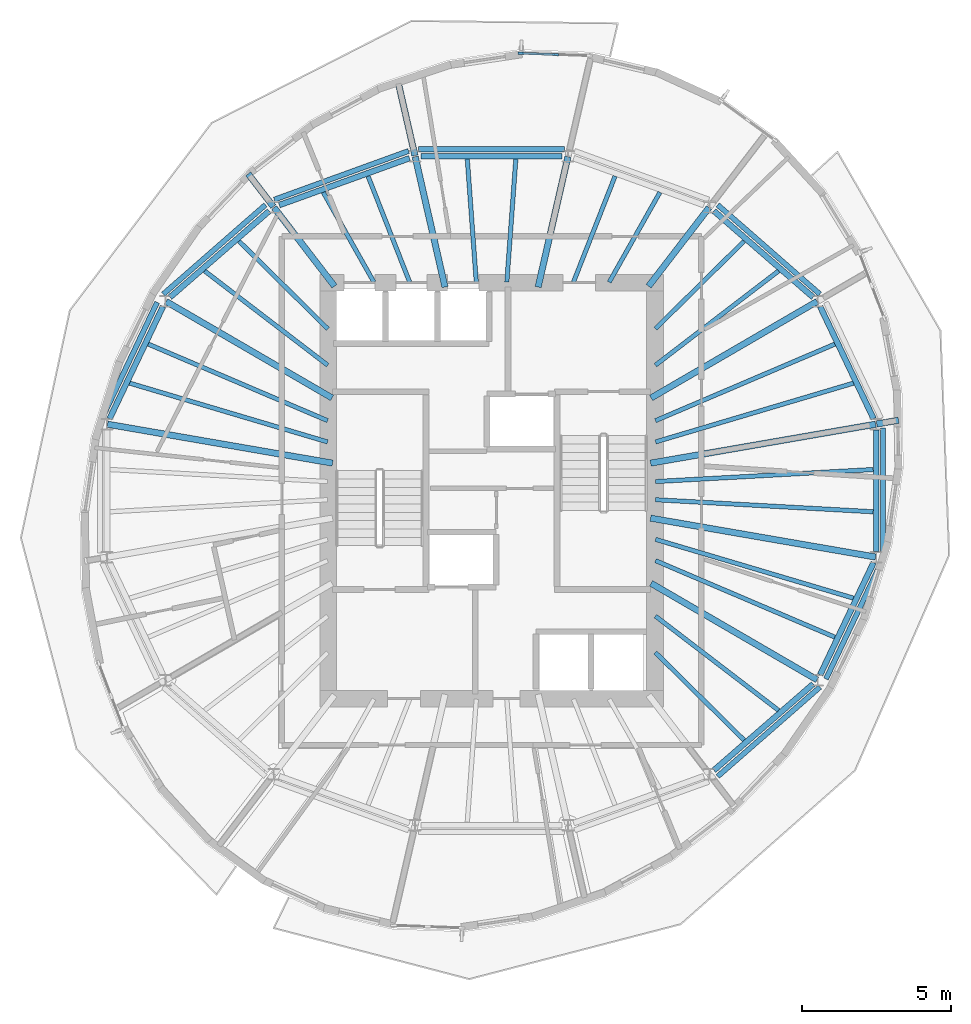
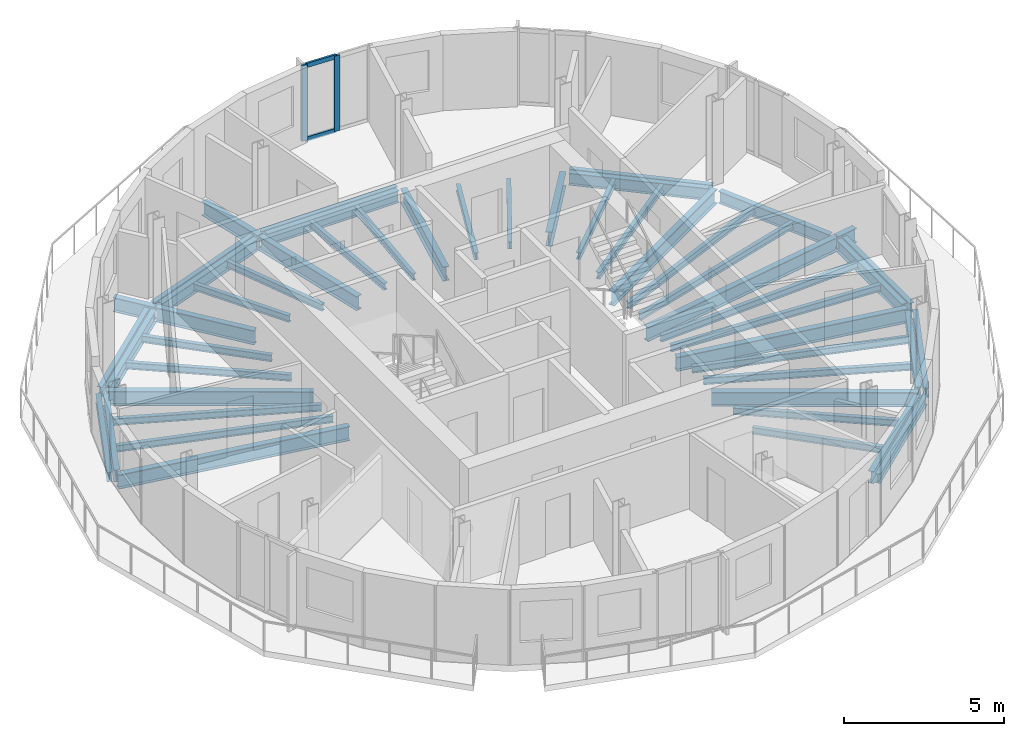
# One storey, part 2 of 11: 50 beams, 4 members, 1 element without a shape of its own.
"""IFC4 building model written with IfcOpenShell, lengths in metres."""

from ifc_helpers import new_model, si_unit, direction, frame, origin, origin_2d, place, context, subcontext, project, spatial, rectangle, i_section, extrude, material, material_profile, profile_set, type_object, element, aggregate, save


model = new_model("IFC4")

# Units and contexts
model_context = context("Model", 3, precision=1e-05, world=origin(), true_north=direction((0.0, 1.0)))
body_context = subcontext(model_context, "Body", "Model", "MODEL_VIEW")
ifc_project = project(units=[si_unit("LENGTHUNIT", "METRE"), si_unit("AREAUNIT", "SQUARE_METRE"), si_unit("VOLUMEUNIT", "CUBIC_METRE"), si_unit("PLANEANGLEUNIT", "RADIAN"), si_unit("MASSUNIT", "GRAM", prefix="KILO")], contexts=[model_context])

# Site, building, storey
site_placement = place(None, origin())
site = spatial("IfcSite", under=ifc_project, at=site_placement, CompositionType="ELEMENT")
building_placement = place(site_placement, origin())
building = spatial("IfcBuilding", under=site, at=building_placement, Name="Veldorim Arch Residences", CompositionType="ELEMENT")
storey_placement = place(building_placement, frame((0.0, 0.0, 239.840087890625)))
storey = spatial("IfcBuildingStorey", under=building, at=storey_placement, Name="L72", CompositionType="ELEMENT", Elevation=239.840087890625)

# Beams
ifc_material_1 = material(Name="Steel S355", Category="steel")
ifc_material_profile_1 = material_profile(ifc_material_1, i_section(OverallWidth=0.2119140625, OverallDepth=0.54443359375, WebThickness=0.0126953125, FlangeThickness=0.021240234375, at=origin_2d()), Name="UB533x210x122")
ifc_profile_set_1 = profile_set([ifc_material_profile_1], Name="Steel S355")
beam_type_1 = type_object("IfcBeamType", Name="Structural Steel Beam UB533x210x122", PredefinedType="BEAM", material=ifc_profile_set_1)
beam_1_placement = place(storey_placement, frame((37.352294921875, 24.92578125, -0.512451171875), z_axis=(0.985364974081, 0.170457818401, 0.0), x_axis=(-0.170457818401, 0.985364974081, 0.0)))
element("IfcBeam", 1, at=beam_1_placement, inside=storey, type_object=beam_type_1, Name="L72 radial floor girder 01", PredefinedType="BEAM", context=body_context, shape_type="SweptSolid", body=[
    extrude(i_section(OverallWidth=0.2119140625, OverallDepth=0.54443359375, WebThickness=0.0126953125, FlangeThickness=0.021240234375, at=origin_2d()), origin(), (0.0, 0.0, 1.0), 7.68701171875),
])
beam_2_placement = place(storey_placement, frame((44.966064453125, 26.242919921875, -0.512451171875), z_axis=(0.985346265547, 0.170565931453, 0.0), x_axis=(-0.170565931453, 0.985346265547, 0.0)))
element("IfcBeam", 2, at=beam_2_placement, inside=storey, type_object=beam_type_1, Name="L72 radial edge cantilever girder 01", PredefinedType="BEAM", context=body_context, shape_type="SweptSolid", body=[
    extrude(i_section(OverallWidth=0.2119140625, OverallDepth=0.54443359375, WebThickness=0.0126953125, FlangeThickness=0.021240234375, at=origin_2d()), origin(), (0.0, 0.0, 1.0), 0.744384765625),
])
beam_3_placement = place(storey_placement, frame((37.370361328125, 27.12060546875, -0.512451171875), z_axis=(0.864595736304, 0.502468121142, 0.0), x_axis=(-0.502468121142, 0.864595736304, 0.0)))
element("IfcBeam", 3, at=beam_3_placement, inside=storey, type_object=beam_type_1, Name="L72 radial floor girder 02", PredefinedType="BEAM", context=body_context, shape_type="SweptSolid", body=[
    extrude(i_section(OverallWidth=0.2119140625, OverallDepth=0.54443359375, WebThickness=0.0126953125, FlangeThickness=0.021240234375, at=origin_2d()), origin(), (0.0, 0.0, 1.0), 6.462646484375),
])
beam_4_placement = place(storey_placement, frame((37.28662109375, 30.881103515625, -0.512451171875), z_axis=(0.609258442308, 0.792971721108, 0.0), x_axis=(-0.792971721108, 0.609258442308, 0.0)))
element("IfcBeam", 4, at=beam_4_placement, inside=storey, type_object=beam_type_1, Name="L72 radial floor girder 03", PredefinedType="BEAM", context=body_context, shape_type="SweptSolid", body=[
    extrude(i_section(OverallWidth=0.2119140625, OverallDepth=0.54443359375, WebThickness=0.0126953125, FlangeThickness=0.021240234375, at=origin_2d()), origin(), (0.0, 0.0, 1.0), 3.339599609375),
])
for number, where, z_axis, x_axis, name in (
    (5, (33.567626953125, 30.853759765625, -0.512451171875), (0.222952976993, 0.97482920045, 0.0), (-0.97482920045, 0.222952976993, 0.0), "L72 radial floor girder 04"),
    (6, (30.432373046875, 30.853759765625, -0.512451171875), (-0.222952976993, 0.97482920045, 0.0), (-0.97482920045, -0.222952976993, 0.0), "L72 radial floor girder 05"),
):
    element("IfcBeam", number, at=place(storey_placement, frame(where, z_axis=z_axis, x_axis=x_axis)), inside=storey, type_object=beam_type_1, Name=name, PredefinedType="BEAM", context=body_context, shape_type="SweptSolid", body=[
        extrude(i_section(OverallWidth=0.2119140625, OverallDepth=0.54443359375, WebThickness=0.0126953125, FlangeThickness=0.021240234375, at=origin_2d()), origin(), (0.0, 0.0, 1.0), 4.49951171875),
    ])
beam_5_placement = place(storey_placement, frame((29.42041015625, 35.27880859375, -0.512451171875), z_axis=(-0.222987741218, 0.974821248879, 0.0), x_axis=(-0.974821248879, -0.222987741218, 0.0)))
element("IfcBeam", 7, at=beam_5_placement, inside=storey, type_object=beam_type_1, Name="L72 radial edge cantilever girder 05", PredefinedType="BEAM", context=body_context, shape_type="SweptSolid", body=[
    extrude(i_section(OverallWidth=0.2119140625, OverallDepth=0.54443359375, WebThickness=0.0126953125, FlangeThickness=0.021240234375, at=origin_2d()), origin(), (0.0, 0.0, 1.0), 2.56298828125),
])
beam_6_placement = place(storey_placement, frame((26.71337890625, 30.881103515625, -0.512451171875), z_axis=(-0.609258442308, 0.792971721108, 0.0), x_axis=(-0.792971721108, -0.609258442308, 0.0)))
element("IfcBeam", 8, at=beam_6_placement, inside=storey, type_object=beam_type_1, Name="L72 radial floor girder 06", PredefinedType="BEAM", context=body_context, shape_type="SweptSolid", body=[
    extrude(i_section(OverallWidth=0.2119140625, OverallDepth=0.54443359375, WebThickness=0.0126953125, FlangeThickness=0.021240234375, at=origin_2d()), origin(), (0.0, 0.0, 1.0), 3.339599609375),
])
beam_7_placement = place(storey_placement, frame((24.654296875, 33.561279296875, -0.512451171875), z_axis=(-0.609217680659, 0.793003037555, 0.0), x_axis=(-0.793003037555, -0.609217680659, 0.0)))
element("IfcBeam", 9, at=beam_7_placement, inside=storey, type_object=beam_type_1, Name="L72 radial edge cantilever girder 06", PredefinedType="BEAM", context=body_context, shape_type="SweptSolid", body=[
    extrude(i_section(OverallWidth=0.2119140625, OverallDepth=0.54443359375, WebThickness=0.0126953125, FlangeThickness=0.021240234375, at=origin_2d()), origin(), (0.0, 0.0, 1.0), 1.38818359375),
])
beam_8_placement = place(storey_placement, frame((26.629638671875, 27.12060546875, -0.512451171875), z_axis=(-0.864595736304, 0.502468121142, 0.0), x_axis=(-0.502468121142, -0.864595736304, 0.0)))
element("IfcBeam", 10, at=beam_8_placement, inside=storey, type_object=beam_type_1, Name="L72 radial floor girder 07", PredefinedType="BEAM", context=body_context, shape_type="SweptSolid", body=[
    extrude(i_section(OverallWidth=0.2119140625, OverallDepth=0.54443359375, WebThickness=0.0126953125, FlangeThickness=0.021240234375, at=origin_2d()), origin(), (0.0, 0.0, 1.0), 6.462646484375),
])
beam_9_placement = place(storey_placement, frame((26.647705078125, 24.92578125, -0.512451171875), z_axis=(-0.985364974081, 0.170457818401, 0.0), x_axis=(-0.170457818401, -0.985364974081, 0.0)))
element("IfcBeam", 11, at=beam_9_placement, inside=storey, type_object=beam_type_1, Name="L72 radial floor girder 08", PredefinedType="BEAM", context=body_context, shape_type="SweptSolid", body=[
    extrude(i_section(OverallWidth=0.2119140625, OverallDepth=0.54443359375, WebThickness=0.0126953125, FlangeThickness=0.021240234375, at=origin_2d()), origin(), (0.0, 0.0, 1.0), 7.68701171875),
])
beam_10_placement = place(storey_placement, frame((37.370361328125, 20.87939453125, -0.512451171875), z_axis=(0.864595736304, -0.502468121142, 0.0), x_axis=(0.502468121142, 0.864595736304, 0.0)))
element("IfcBeam", 12, at=beam_10_placement, inside=storey, type_object=beam_type_1, Name="L72 radial floor girder 15", PredefinedType="BEAM", context=body_context, shape_type="SweptSolid", body=[
    extrude(i_section(OverallWidth=0.2119140625, OverallDepth=0.54443359375, WebThickness=0.0126953125, FlangeThickness=0.021240234375, at=origin_2d()), origin(), (0.0, 0.0, 1.0), 6.462646484375),
])
beam_11_placement = place(storey_placement, frame((37.352294921875, 23.07421875, -0.512451171875), z_axis=(0.985364974081, -0.170457818401, 0.0), x_axis=(0.170457818401, 0.985364974081, 0.0)))
element("IfcBeam", 13, at=beam_11_placement, inside=storey, type_object=beam_type_1, Name="L72 radial floor girder 16", PredefinedType="BEAM", context=body_context, shape_type="SweptSolid", body=[
    extrude(i_section(OverallWidth=0.2119140625, OverallDepth=0.54443359375, WebThickness=0.0126953125, FlangeThickness=0.021240234375, at=origin_2d()), origin(), (0.0, 0.0, 1.0), 7.68701171875),
])
ifc_material_2 = material(Name="Steel S355", Category="steel")
ifc_material_profile_2 = material_profile(ifc_material_2, i_section(OverallWidth=0.146484375, OverallDepth=0.256103515625, WebThickness=0.00634765625, FlangeThickness=0.010986328125, at=origin_2d()), Name="UB254x146x37")
ifc_profile_set_2 = profile_set([ifc_material_profile_2], Name="Steel S355")
beam_type_2 = type_object("IfcBeamType", Name="Structural Steel Joist UB254x146x37", PredefinedType="JOIST", material=ifc_profile_set_2)
beam_12_placement = place(storey_placement, frame((37.519287109375, 25.639404296875, -0.3681640625), z_axis=(0.958594432792, 0.284774846889, 0.0), x_axis=(-0.284774846889, 0.958594432792, 0.0)))
element("IfcBeam", 14, at=beam_12_placement, inside=storey, type_object=beam_type_2, Name="L72 secondary radial floor joist 01-1", PredefinedType="JOIST", context=body_context, shape_type="SweptSolid", body=[
    extrude(i_section(OverallWidth=0.146484375, OverallDepth=0.256103515625, WebThickness=0.00634765625, FlangeThickness=0.010986328125, at=origin_2d()), origin(), (0.0, 0.0, 1.0), 6.949462890625),
])
beam_13_placement = place(storey_placement, frame((37.518310546875, 26.355712890625, -0.3681640625), z_axis=(0.919725161652, 0.392562895629, 0.0), x_axis=(-0.392562895629, 0.919725161652, 0.0)))
element("IfcBeam", 15, at=beam_13_placement, inside=storey, type_object=beam_type_2, Name="L72 secondary radial floor joist 01-2", PredefinedType="JOIST", context=body_context, shape_type="SweptSolid", body=[
    extrude(i_section(OverallWidth=0.146484375, OverallDepth=0.256103515625, WebThickness=0.00634765625, FlangeThickness=0.010986328125, at=origin_2d()), origin(), (0.0, 0.0, 1.0), 6.5625),
])
beam_14_placement = place(storey_placement, frame((37.515869140625, 28.222900390625, -0.3681640625), z_axis=(0.794013672216, 0.607899899929, 0.0), x_axis=(-0.607899899929, 0.794013672216, 0.0)))
element("IfcBeam", 16, at=beam_14_placement, inside=storey, type_object=beam_type_2, Name="L72 secondary radial floor joist 02-1", PredefinedType="JOIST", context=body_context, shape_type="SweptSolid", body=[
    extrude(i_section(OverallWidth=0.146484375, OverallDepth=0.256103515625, WebThickness=0.00634765625, FlangeThickness=0.010986328125, at=origin_2d()), origin(), (0.0, 0.0, 1.0), 5.217041015625),
])
beam_15_placement = place(storey_placement, frame((37.51416015625, 29.44775390625, -0.3681640625), z_axis=(0.711396725432, 0.702790650937, 0.0), x_axis=(-0.702790650937, 0.711396725432, 0.0)))
element("IfcBeam", 17, at=beam_15_placement, inside=storey, type_object=beam_type_2, Name="L72 secondary radial floor joist 02-2", PredefinedType="JOIST", context=body_context, shape_type="SweptSolid", body=[
    extrude(i_section(OverallWidth=0.146484375, OverallDepth=0.256103515625, WebThickness=0.00634765625, FlangeThickness=0.010986328125, at=origin_2d()), origin(), (0.0, 0.0, 1.0), 4.198486328125),
])
beam_16_placement = place(storey_placement, frame((35.960205078125, 31.017333984375, -0.3681640625), z_axis=(0.491452469585, 0.870904397818, 0.0), x_axis=(-0.870904397818, 0.491452469585, 0.0)))
element("IfcBeam", 18, at=beam_16_placement, inside=storey, type_object=beam_type_2, Name="L72 secondary radial floor joist 03-1", PredefinedType="JOIST", context=body_context, shape_type="SweptSolid", body=[
    extrude(i_section(OverallWidth=0.146484375, OverallDepth=0.256103515625, WebThickness=0.00634765625, FlangeThickness=0.010986328125, at=origin_2d()), origin(), (0.0, 0.0, 1.0), 3.472412109375),
])
beam_17_placement = place(storey_placement, frame((34.75634765625, 31.0185546875, -0.3681640625), z_axis=(0.365581383042, 0.930779379001, 0.0), x_axis=(-0.930779379001, 0.365581383042, 0.0)))
element("IfcBeam", 19, at=beam_17_placement, inside=storey, type_object=beam_type_2, Name="L72 secondary radial floor joist 03-2", PredefinedType="JOIST", context=body_context, shape_type="SweptSolid", body=[
    extrude(i_section(OverallWidth=0.146484375, OverallDepth=0.256103515625, WebThickness=0.00634765625, FlangeThickness=0.010986328125, at=origin_2d()), origin(), (0.0, 0.0, 1.0), 3.83056640625),
])
for number, where, z_axis, x_axis, name in (
    (20, (32.513916015625, 31.02001953125, -0.3681640625), (0.072985625899, 0.997332992742, 0.0), (-0.997332992742, 0.072985625899, 0.0), "L72 secondary radial floor joist 04-1"),
    (21, (31.486083984375, 31.02001953125, -0.3681640625), (-0.072985625899, 0.997332992742, 0.0), (-0.997332992742, -0.072985625899, 0.0), "L72 secondary radial floor joist 04-2"),
):
    element("IfcBeam", number, at=place(storey_placement, frame(where, z_axis=z_axis, x_axis=x_axis)), inside=storey, type_object=beam_type_2, Name=name, PredefinedType="JOIST", context=body_context, shape_type="SweptSolid", body=[
        extrude(i_section(OverallWidth=0.146484375, OverallDepth=0.256103515625, WebThickness=0.00634765625, FlangeThickness=0.010986328125, at=origin_2d()), origin(), (0.0, 0.0, 1.0), 4.151123046875),
    ])
beam_18_placement = place(storey_placement, frame((29.24365234375, 31.0185546875, -0.3681640625), z_axis=(-0.365581383042, 0.930779379001, 0.0), x_axis=(-0.930779379001, -0.365581383042, 0.0)))
element("IfcBeam", 22, at=beam_18_placement, inside=storey, type_object=beam_type_2, Name="L72 secondary radial floor joist 05-1", PredefinedType="JOIST", context=body_context, shape_type="SweptSolid", body=[
    extrude(i_section(OverallWidth=0.146484375, OverallDepth=0.256103515625, WebThickness=0.00634765625, FlangeThickness=0.010986328125, at=origin_2d()), origin(), (0.0, 0.0, 1.0), 3.83056640625),
])
beam_19_placement = place(storey_placement, frame((28.039794921875, 31.017333984375, -0.3681640625), z_axis=(-0.491452469585, 0.870904397818, 0.0), x_axis=(-0.870904397818, -0.491452469585, 0.0)))
element("IfcBeam", 23, at=beam_19_placement, inside=storey, type_object=beam_type_2, Name="L72 secondary radial floor joist 05-2", PredefinedType="JOIST", context=body_context, shape_type="SweptSolid", body=[
    extrude(i_section(OverallWidth=0.146484375, OverallDepth=0.256103515625, WebThickness=0.00634765625, FlangeThickness=0.010986328125, at=origin_2d()), origin(), (0.0, 0.0, 1.0), 3.472412109375),
])
beam_20_placement = place(storey_placement, frame((26.48583984375, 29.44775390625, -0.3681640625), z_axis=(-0.711396725432, 0.702790650937, 0.0), x_axis=(-0.702790650937, -0.711396725432, 0.0)))
element("IfcBeam", 24, at=beam_20_placement, inside=storey, type_object=beam_type_2, Name="L72 secondary radial floor joist 06-1", PredefinedType="JOIST", context=body_context, shape_type="SweptSolid", body=[
    extrude(i_section(OverallWidth=0.146484375, OverallDepth=0.256103515625, WebThickness=0.00634765625, FlangeThickness=0.010986328125, at=origin_2d()), origin(), (0.0, 0.0, 1.0), 4.198486328125),
])
beam_21_placement = place(storey_placement, frame((26.484130859375, 28.222900390625, -0.3681640625), z_axis=(-0.794013672216, 0.607899899929, 0.0), x_axis=(-0.607899899929, -0.794013672216, 0.0)))
element("IfcBeam", 25, at=beam_21_placement, inside=storey, type_object=beam_type_2, Name="L72 secondary radial floor joist 06-2", PredefinedType="JOIST", context=body_context, shape_type="SweptSolid", body=[
    extrude(i_section(OverallWidth=0.146484375, OverallDepth=0.256103515625, WebThickness=0.00634765625, FlangeThickness=0.010986328125, at=origin_2d()), origin(), (0.0, 0.0, 1.0), 5.217041015625),
])
beam_22_placement = place(storey_placement, frame((26.481689453125, 26.355712890625, -0.3681640625), z_axis=(-0.919725161652, 0.392562895629, 0.0), x_axis=(-0.392562895629, -0.919725161652, 0.0)))
element("IfcBeam", 26, at=beam_22_placement, inside=storey, type_object=beam_type_2, Name="L72 secondary radial floor joist 07-1", PredefinedType="JOIST", context=body_context, shape_type="SweptSolid", body=[
    extrude(i_section(OverallWidth=0.146484375, OverallDepth=0.256103515625, WebThickness=0.00634765625, FlangeThickness=0.010986328125, at=origin_2d()), origin(), (0.0, 0.0, 1.0), 6.5625),
])
beam_23_placement = place(storey_placement, frame((26.480712890625, 25.639404296875, -0.3681640625), z_axis=(-0.958594432792, 0.284774846889, 0.0), x_axis=(-0.284774846889, -0.958594432792, 0.0)))
element("IfcBeam", 27, at=beam_23_placement, inside=storey, type_object=beam_type_2, Name="L72 secondary radial floor joist 07-2", PredefinedType="JOIST", context=body_context, shape_type="SweptSolid", body=[
    extrude(i_section(OverallWidth=0.146484375, OverallDepth=0.256103515625, WebThickness=0.00634765625, FlangeThickness=0.010986328125, at=origin_2d()), origin(), (0.0, 0.0, 1.0), 6.949462890625),
])
beam_24_placement = place(storey_placement, frame((37.51416015625, 18.55224609375, -0.3681640625), z_axis=(0.711396725432, -0.702790650937, 0.0), x_axis=(0.702790650937, 0.711396725432, 0.0)))
element("IfcBeam", 28, at=beam_24_placement, inside=storey, type_object=beam_type_2, Name="L72 secondary radial floor joist 14-1", PredefinedType="JOIST", context=body_context, shape_type="SweptSolid", body=[
    extrude(i_section(OverallWidth=0.146484375, OverallDepth=0.256103515625, WebThickness=0.00634765625, FlangeThickness=0.010986328125, at=origin_2d()), origin(), (0.0, 0.0, 1.0), 4.198486328125),
])
beam_25_placement = place(storey_placement, frame((37.515869140625, 19.777099609375, -0.3681640625), z_axis=(0.794013672216, -0.607899899929, 0.0), x_axis=(0.607899899929, 0.794013672216, 0.0)))
element("IfcBeam", 29, at=beam_25_placement, inside=storey, type_object=beam_type_2, Name="L72 secondary radial floor joist 14-2", PredefinedType="JOIST", context=body_context, shape_type="SweptSolid", body=[
    extrude(i_section(OverallWidth=0.146484375, OverallDepth=0.256103515625, WebThickness=0.00634765625, FlangeThickness=0.010986328125, at=origin_2d()), origin(), (0.0, 0.0, 1.0), 5.217041015625),
])
beam_26_placement = place(storey_placement, frame((37.518310546875, 21.644287109375, -0.3681640625), z_axis=(0.919725161652, -0.392562895629, 0.0), x_axis=(0.392562895629, 0.919725161652, 0.0)))
element("IfcBeam", 30, at=beam_26_placement, inside=storey, type_object=beam_type_2, Name="L72 secondary radial floor joist 15-1", PredefinedType="JOIST", context=body_context, shape_type="SweptSolid", body=[
    extrude(i_section(OverallWidth=0.146484375, OverallDepth=0.256103515625, WebThickness=0.00634765625, FlangeThickness=0.010986328125, at=origin_2d()), origin(), (0.0, 0.0, 1.0), 6.5625),
])
beam_27_placement = place(storey_placement, frame((37.519287109375, 22.360595703125, -0.3681640625), z_axis=(0.958594432792, -0.284774846889, 0.0), x_axis=(0.284774846889, 0.958594432792, 0.0)))
element("IfcBeam", 31, at=beam_27_placement, inside=storey, type_object=beam_type_2, Name="L72 secondary radial floor joist 15-2", PredefinedType="JOIST", context=body_context, shape_type="SweptSolid", body=[
    extrude(i_section(OverallWidth=0.146484375, OverallDepth=0.256103515625, WebThickness=0.00634765625, FlangeThickness=0.010986328125, at=origin_2d()), origin(), (0.0, 0.0, 1.0), 6.949462890625),
])
for number, where, z_axis, x_axis, name in (
    (32, (37.52001953125, 23.6943359375, -0.3681640625), (0.998472000884, -0.055259962464, 0.0), (0.055259962464, 0.998472000884, 0.0), "L72 secondary radial floor joist 16-1"),
    (33, (37.52001953125, 24.3056640625, -0.3681640625), (0.998472000884, 0.055259962464, 0.0), (-0.055259962464, 0.998472000884, 0.0), "L72 secondary radial floor joist 16-2"),
):
    element("IfcBeam", number, at=place(storey_placement, frame(where, z_axis=z_axis, x_axis=x_axis)), inside=storey, type_object=beam_type_2, Name=name, PredefinedType="JOIST", context=body_context, shape_type="SweptSolid", body=[
        extrude(i_section(OverallWidth=0.146484375, OverallDepth=0.256103515625, WebThickness=0.00634765625, FlangeThickness=0.010986328125, at=origin_2d()), origin(), (0.0, 0.0, 1.0), 7.33837890625),
    ])
ifc_material_3 = material(Name="Steel S355", Category="steel")
ifc_material_profile_3 = material_profile(ifc_material_3, i_section(OverallWidth=0.172119140625, OverallDepth=0.35791015625, WebThickness=0.008056640625, FlangeThickness=0.012939453125, at=origin_2d()), Name="UB356x171x57")
ifc_profile_set_3 = profile_set([ifc_material_profile_3], Name="Steel S355")
beam_type_3 = type_object("IfcBeamType", Name="Structural Steel Spandrel UB356x171x57", PredefinedType="SPANDREL", material=ifc_profile_set_3)
beam_28_placement = place(storey_placement, frame((43.05078125, 30.614013671875, -0.439208984375), z_axis=(-0.752901089301, 0.658133686821, 0.0), x_axis=(-0.658133686821, -0.752901089301, 0.0)))
element("IfcBeam", 34, at=beam_28_placement, inside=storey, type_object=beam_type_3, Name="L72 perimeter chord spandrel beam 02", PredefinedType="SPANDREL", context=body_context, shape_type="SweptSolid", body=[
    extrude(i_section(OverallWidth=0.172119140625, OverallDepth=0.35791015625, WebThickness=0.008056640625, FlangeThickness=0.012939453125, at=origin_2d()), origin(), (0.0, 0.0, 1.0), 4.567626953125),
])
beam_29_placement = place(storey_placement, frame((34.453125, 35.493408203125, -0.439208984375), z_axis=(-1.0, 0.0, 0.0), x_axis=(0.0, -1.0, 0.0)))
element("IfcBeam", 35, at=beam_29_placement, inside=storey, type_object=beam_type_3, Name="L72 perimeter chord spandrel beam 04", PredefinedType="SPANDREL", context=body_context, shape_type="SweptSolid", body=[
    extrude(i_section(OverallWidth=0.172119140625, OverallDepth=0.35791015625, WebThickness=0.008056640625, FlangeThickness=0.012939453125, at=origin_2d()), origin(), (0.0, 0.0, 1.0), 4.90625),
])
beam_30_placement = place(storey_placement, frame((29.206298828125, 35.43359375, -0.439208984375), z_axis=(-0.940181197783, -0.340674794099, 0.0), x_axis=(0.340674794099, -0.940181197783, 0.0)))
element("IfcBeam", 36, at=beam_30_placement, inside=storey, type_object=beam_type_3, Name="L72 perimeter chord spandrel beam 05", PredefinedType="SPANDREL", context=body_context, shape_type="SweptSolid", body=[
    extrude(i_section(OverallWidth=0.172119140625, OverallDepth=0.35791015625, WebThickness=0.008056640625, FlangeThickness=0.012939453125, at=origin_2d()), origin(), (0.0, 0.0, 1.0), 4.80859375),
])
beam_31_placement = place(storey_placement, frame((24.38818359375, 33.6201171875, -0.439208984375), z_axis=(-0.752901089301, -0.658133686821, 0.0), x_axis=(0.658133686821, -0.752901089301, 0.0)))
element("IfcBeam", 37, at=beam_31_placement, inside=storey, type_object=beam_type_3, Name="L72 perimeter chord spandrel beam 06", PredefinedType="SPANDREL", context=body_context, shape_type="SweptSolid", body=[
    extrude(i_section(OverallWidth=0.172119140625, OverallDepth=0.35791015625, WebThickness=0.008056640625, FlangeThickness=0.012939453125, at=origin_2d()), origin(), (0.0, 0.0, 1.0), 4.567626953125),
])
beam_32_placement = place(storey_placement, frame((20.741943359375, 30.33984375, -0.439208984375), z_axis=(-0.428453398876, -0.903563879862, 0.0), x_axis=(0.903563879862, -0.428453398876, 0.0)))
element("IfcBeam", 38, at=beam_32_placement, inside=storey, type_object=beam_type_3, Name="L72 perimeter chord spandrel beam 07", PredefinedType="SPANDREL", context=body_context, shape_type="SweptSolid", body=[
    extrude(i_section(OverallWidth=0.172119140625, OverallDepth=0.35791015625, WebThickness=0.008056640625, FlangeThickness=0.012939453125, at=origin_2d()), origin(), (0.0, 0.0, 1.0), 4.31689453125),
])
beam_33_placement = place(storey_placement, frame((39.61181640625, 14.3798828125, -0.439208984375), z_axis=(0.752901089301, 0.658133686821, 0.0), x_axis=(-0.658133686821, 0.752901089301, 0.0)))
element("IfcBeam", 39, at=beam_33_placement, inside=storey, type_object=beam_type_3, Name="L72 perimeter chord spandrel beam 14", PredefinedType="SPANDREL", context=body_context, shape_type="SweptSolid", body=[
    extrude(i_section(OverallWidth=0.172119140625, OverallDepth=0.35791015625, WebThickness=0.008056640625, FlangeThickness=0.012939453125, at=origin_2d()), origin(), (0.0, 0.0, 1.0), 4.567626953125),
])
beam_34_placement = place(storey_placement, frame((43.258056640625, 17.66015625, -0.439208984375), z_axis=(0.428453398876, 0.903563879862, 0.0), x_axis=(-0.903563879862, 0.428453398876, 0.0)))
element("IfcBeam", 40, at=beam_34_placement, inside=storey, type_object=beam_type_3, Name="L72 perimeter chord spandrel beam 15", PredefinedType="SPANDREL", context=body_context, shape_type="SweptSolid", body=[
    extrude(i_section(OverallWidth=0.172119140625, OverallDepth=0.35791015625, WebThickness=0.008056640625, FlangeThickness=0.012939453125, at=origin_2d()), origin(), (0.0, 0.0, 1.0), 4.31689453125),
])
beam_35_placement = place(storey_placement, frame((45.182861328125, 21.89501953125, -0.439208984375), z_axis=(0.0, 1.0, 0.0), x_axis=(-1.0, 0.0, 0.0)))
element("IfcBeam", 41, at=beam_35_placement, inside=storey, type_object=beam_type_3, Name="L72 perimeter chord spandrel beam 16", PredefinedType="SPANDREL", context=body_context, shape_type="SweptSolid", body=[
    extrude(i_section(OverallWidth=0.172119140625, OverallDepth=0.35791015625, WebThickness=0.008056640625, FlangeThickness=0.012939453125, at=origin_2d()), origin(), (0.0, 0.0, 1.0), 4.2099609375),
])
ifc_material_4 = material(Name="Steel S355", Category="steel")
ifc_material_profile_4 = material_profile(ifc_material_4, i_section(OverallWidth=0.19140625, OverallDepth=0.4599609375, WebThickness=0.010009765625, FlangeThickness=0.01611328125, at=origin_2d()), Name="UB457x191x82")
ifc_profile_set_4 = profile_set([ifc_material_profile_4], Name="Steel S355")
beam_type_4 = type_object("IfcBeamType", Name="Structural Steel Spandrel UB457x191x82", PredefinedType="SPANDREL", material=ifc_profile_set_4)
beam_36_placement = place(storey_placement, frame((44.860595703125, 26.419677734375, -0.469970703125), z_axis=(-0.42997887291, 0.902838949564, 0.0), x_axis=(-0.902838949564, -0.42997887291, 0.0)))
element("IfcBeam", 42, at=beam_36_placement, inside=storey, type_object=beam_type_4, Name="L72 perimeter ring tie beam 01", PredefinedType="SPANDREL", context=body_context, shape_type="SweptSolid", body=[
    extrude(i_section(OverallWidth=0.19140625, OverallDepth=0.4599609375, WebThickness=0.010009765625, FlangeThickness=0.01611328125, at=origin_2d()), origin(), (0.0, 0.0, 1.0), 4.1845703125),
])
beam_37_placement = place(storey_placement, frame((42.824951171875, 30.5087890625, -0.469970703125), z_axis=(-0.754578219063, 0.656210112171, 0.0), x_axis=(-0.656210112171, -0.754578219063, 0.0)))
element("IfcBeam", 43, at=beam_37_placement, inside=storey, type_object=beam_type_4, Name="L72 perimeter ring tie beam 02", PredefinedType="SPANDREL", context=body_context, shape_type="SweptSolid", body=[
    extrude(i_section(OverallWidth=0.19140625, OverallDepth=0.4599609375, WebThickness=0.010009765625, FlangeThickness=0.01611328125, at=origin_2d()), origin(), (0.0, 0.0, 1.0), 4.427734375),
])
beam_38_placement = place(storey_placement, frame((34.375732421875, 35.259521484375, -0.469970703125), z_axis=(-1.0, 0.0, 0.0), x_axis=(0.0, -1.0, 0.0)))
element("IfcBeam", 44, at=beam_38_placement, inside=storey, type_object=beam_type_4, Name="L72 perimeter ring tie beam 04", PredefinedType="SPANDREL", context=body_context, shape_type="SweptSolid", body=[
    extrude(i_section(OverallWidth=0.19140625, OverallDepth=0.4599609375, WebThickness=0.010009765625, FlangeThickness=0.01611328125, at=origin_2d()), origin(), (0.0, 0.0, 1.0), 4.75146484375),
])
beam_39_placement = place(storey_placement, frame((29.237060546875, 35.19189453125, -0.469970703125), z_axis=(-0.940799194754, -0.338964415757, 0.0), x_axis=(0.338964415757, -0.940799194754, 0.0)))
element("IfcBeam", 45, at=beam_39_placement, inside=storey, type_object=beam_type_4, Name="L72 perimeter ring tie beam 05", PredefinedType="SPANDREL", context=body_context, shape_type="SweptSolid", body=[
    extrude(i_section(OverallWidth=0.19140625, OverallDepth=0.4599609375, WebThickness=0.010009765625, FlangeThickness=0.01611328125, at=origin_2d()), origin(), (0.0, 0.0, 1.0), 4.65869140625),
])
beam_40_placement = place(storey_placement, frame((24.51611328125, 33.414306640625, -0.469970703125), z_axis=(-0.754578219063, -0.656210112171, 0.0), x_axis=(0.656210112171, -0.754578219063, 0.0)))
element("IfcBeam", 46, at=beam_40_placement, inside=storey, type_object=beam_type_4, Name="L72 perimeter ring tie beam 06", PredefinedType="SPANDREL", context=body_context, shape_type="SweptSolid", body=[
    extrude(i_section(OverallWidth=0.19140625, OverallDepth=0.4599609375, WebThickness=0.010009765625, FlangeThickness=0.01611328125, at=origin_2d()), origin(), (0.0, 0.0, 1.0), 4.427734375),
])
beam_41_placement = place(storey_placement, frame((20.938720703125, 30.19775390625, -0.469970703125), z_axis=(-0.42997887291, -0.902838949564, 0.0), x_axis=(0.902838949564, -0.42997887291, 0.0)))
element("IfcBeam", 47, at=beam_41_placement, inside=storey, type_object=beam_type_4, Name="L72 perimeter ring tie beam 07", PredefinedType="SPANDREL", context=body_context, shape_type="SweptSolid", body=[
    extrude(i_section(OverallWidth=0.19140625, OverallDepth=0.4599609375, WebThickness=0.010009765625, FlangeThickness=0.01611328125, at=origin_2d()), origin(), (0.0, 0.0, 1.0), 4.1845703125),
])
beam_42_placement = place(storey_placement, frame((39.48388671875, 14.585693359375, -0.469970703125), z_axis=(0.754578219063, 0.656210112171, 0.0), x_axis=(-0.656210112171, 0.754578219063, 0.0)))
element("IfcBeam", 48, at=beam_42_placement, inside=storey, type_object=beam_type_4, Name="L72 perimeter ring tie beam 14", PredefinedType="SPANDREL", context=body_context, shape_type="SweptSolid", body=[
    extrude(i_section(OverallWidth=0.19140625, OverallDepth=0.4599609375, WebThickness=0.010009765625, FlangeThickness=0.01611328125, at=origin_2d()), origin(), (0.0, 0.0, 1.0), 4.427734375),
])
beam_43_placement = place(storey_placement, frame((43.061279296875, 17.80224609375, -0.469970703125), z_axis=(0.42997887291, 0.902838949564, 0.0), x_axis=(-0.902838949564, 0.42997887291, 0.0)))
element("IfcBeam", 49, at=beam_43_placement, inside=storey, type_object=beam_type_4, Name="L72 perimeter ring tie beam 15", PredefinedType="SPANDREL", context=body_context, shape_type="SweptSolid", body=[
    extrude(i_section(OverallWidth=0.19140625, OverallDepth=0.4599609375, WebThickness=0.010009765625, FlangeThickness=0.01611328125, at=origin_2d()), origin(), (0.0, 0.0, 1.0), 4.1845703125),
])
beam_44_placement = place(storey_placement, frame((44.9462890625, 21.9599609375, -0.469970703125), z_axis=(0.0, 1.0, 0.0), x_axis=(-1.0, 0.0, 0.0)))
element("IfcBeam", 50, at=beam_44_placement, inside=storey, type_object=beam_type_4, Name="L72 perimeter ring tie beam 16", PredefinedType="SPANDREL", context=body_context, shape_type="SweptSolid", body=[
    extrude(i_section(OverallWidth=0.19140625, OverallDepth=0.4599609375, WebThickness=0.010009765625, FlangeThickness=0.01611328125, at=origin_2d()), origin(), (0.0, 0.0, 1.0), 4.080078125),
])

# Curtain wall, members
ifc_material_5 = material(Name="Aluminium", Category="aluminium")
curtain_wall_type = type_object("IfcCurtainWallType", Name="Zone 4 High-Altitude Unitised Curtain Wall", PredefinedType="NOTDEFINED", material=ifc_material_5)
curtain_wall_placement = place(storey_placement, origin())
curtain_wall = element("IfcCurtainWall", 51, at=curtain_wall_placement, inside=storey, type_object=curtain_wall_type, Name="L72 unitised curtain wall bay 03", PredefinedType="NOTDEFINED")
ifc_material_6 = material(Name="Aluminium", Category="aluminium")
ifc_material_profile_5 = material_profile(ifc_material_6, rectangle(XDim=0.074951171875, YDim=0.195068359375, at=origin_2d()), Name="ALU_MUL_75x195")
ifc_profile_set_5 = profile_set([ifc_material_profile_5], Name="Aluminium")
member_type_1 = type_object("IfcMemberType", Name="Zone 4 High-Altitude Unitised Curtain Wall Mullion 75x195", PredefinedType="MULLION", material=ifc_profile_set_5)
member_1_placement = place(storey_placement, frame((32.9931640625, 38.722900390625, 0.0), z_axis=(0.0, 0.0, 1.0), x_axis=(0.037606436173, 0.999292627791, 0.0)))
member_1 = element("IfcMember", 52, at=member_1_placement, type_object=member_type_1, Name="CW-Z4 mullion 1", PredefinedType="MULLION", context=body_context, shape_type="SweptSolid", body=[
    extrude(rectangle(XDim=0.074951171875, YDim=0.195068359375, at=origin_2d()), origin(), (0.0, 0.0, 1.0), 2.8798828125),
])
member_2_placement = place(storey_placement, frame((34.148681640625, 38.679443359375, 0.0), z_axis=(0.0, 0.0, 1.0), x_axis=(0.037606436173, 0.999292627791, 0.0)))
member_2 = element("IfcMember", 53, at=member_2_placement, type_object=member_type_1, Name="CW-Z4 mullion 2", PredefinedType="MULLION", context=body_context, shape_type="SweptSolid", body=[
    extrude(rectangle(XDim=0.074951171875, YDim=0.195068359375, at=origin_2d()), origin(), (0.0, 0.0, 1.0), 2.8798828125),
])
ifc_material_7 = material(Name="Aluminium", Category="aluminium")
ifc_material_profile_6 = material_profile(ifc_material_7, rectangle(XDim=0.074951171875, YDim=0.1650390625, at=origin_2d()), Name="ALU_TRN_75x165")
ifc_profile_set_6 = profile_set([ifc_material_profile_6], Name="Aluminium")
member_type_2 = type_object("IfcMemberType", Name="Zone 4 High-Altitude Unitised Curtain Wall Transom 75x165", PredefinedType="USERDEFINED", material=ifc_profile_set_6)
member_3_placement = place(storey_placement, frame((33.03076171875, 38.7216796875, 0.037353515625), z_axis=(0.999288922872, -0.037704756014, 0.0), x_axis=(0.037704756014, 0.999288922872, 0.0)))
member_3 = element("IfcMember", 54, at=member_3_placement, type_object=member_type_2, Name="CW-Z4 transom 1.1", ObjectType="TRANSOM", PredefinedType="USERDEFINED", context=body_context, shape_type="SweptSolid", body=[
    extrude(rectangle(XDim=0.074951171875, YDim=0.1650390625, at=origin_2d()), origin(), (0.0, 0.0, 1.0), 1.081298828125),
])
member_4_placement = place(storey_placement, frame((33.03076171875, 38.7216796875, 2.842529296875), z_axis=(0.999288922872, -0.037704756014, 0.0), x_axis=(0.037704756014, 0.999288922872, 0.0)))
member_4 = element("IfcMember", 55, at=member_4_placement, type_object=member_type_2, Name="CW-Z4 transom 1.2", ObjectType="TRANSOM", PredefinedType="USERDEFINED", context=body_context, shape_type="SweptSolid", body=[
    extrude(rectangle(XDim=0.074951171875, YDim=0.1650390625, at=origin_2d()), origin(), (0.0, 0.0, 1.0), 1.081298828125),
])
aggregate(curtain_wall, [member_1, member_2, member_3, member_4])

save(model, "model.ifc")
